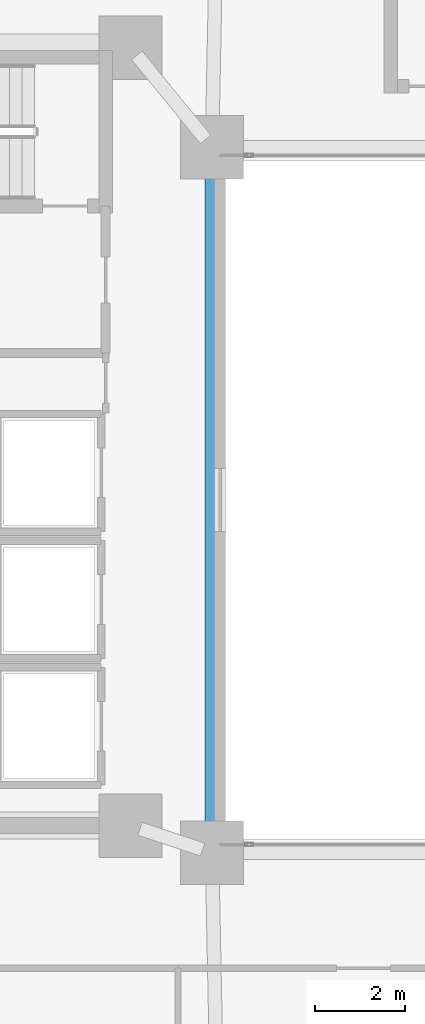
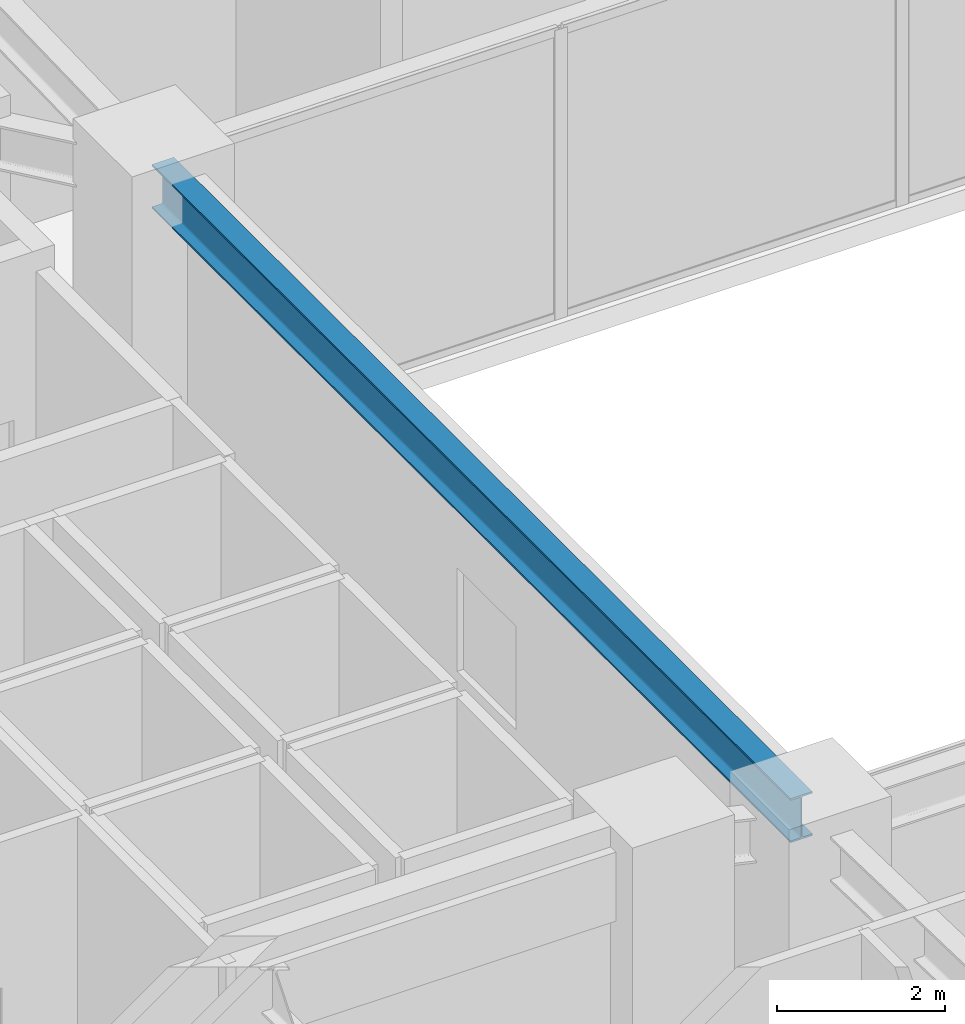
# One storey, part 10 of 39: 1 beam.
"""IFC4 building model written with IfcOpenShell, lengths in metres."""

from ifc_helpers import new_model, si_unit, direction, frame, origin, origin_2d, place, context, subcontext, project, spatial, i_section, extrude, material, material_profile, profile_set, type_object, element, save


model = new_model("IFC4")

# Units and contexts
model_context = context("Model", 3, precision=1e-05, world=origin(), true_north=direction((0.0, 1.0)))
body_context = subcontext(model_context, "Body", "Model", "MODEL_VIEW")
ifc_project = project(units=[si_unit("LENGTHUNIT", "METRE"), si_unit("AREAUNIT", "SQUARE_METRE"), si_unit("VOLUMEUNIT", "CUBIC_METRE"), si_unit("PLANEANGLEUNIT", "RADIAN"), si_unit("MASSUNIT", "GRAM", prefix="KILO")], contexts=[model_context])

# Site, building, storey
site_placement = place(None, origin())
site = spatial("IfcSite", under=ifc_project, at=site_placement, CompositionType="ELEMENT")
building_placement = place(site_placement, origin())
building = spatial("IfcBuilding", under=site, at=building_placement, Name="Tarnavaz Court Tower", CompositionType="ELEMENT")
storey_placement = place(building_placement, frame((0.0, 0.0, 68.699951171875)))
storey = spatial("IfcBuildingStorey", under=building, at=storey_placement, Name="L18", CompositionType="ELEMENT", Elevation=68.699951171875)

# Beam
ifc_material = material(Name="Steel S355", Category="steel")
ifc_material_profile = material_profile(ifc_material, i_section(OverallWidth=0.300048828125, OverallDepth=0.639892578125, WebThickness=0.013427734375, FlangeThickness=0.02587890625, FilletRadius=0.027099609375, at=origin_2d()), Name="HEA 650")
ifc_profile_set = profile_set([ifc_material_profile], Name="Steel S355")
beam_type = type_object("IfcBeamType", Name="BM-SP-HEA650", PredefinedType="SPANDREL", material=ifc_profile_set)
beam_placement = place(storey_placement, frame((-7.800048828125, -7.580078125, 3.880126953125), z_axis=(0.0, 1.0, 0.0), x_axis=(-1.0, 0.0, 0.0)))
element("IfcBeam", 1, at=beam_placement, inside=storey, type_object=beam_type, Name="L18 Beam IN-IW-SW-IW-NW", PredefinedType="SPANDREL", context=body_context, shape_type="SweptSolid", body=[
    extrude(i_section(OverallWidth=0.300048828125, OverallDepth=0.639892578125, WebThickness=0.013427734375, FlangeThickness=0.02587890625, FilletRadius=0.027099609375, at=origin_2d()), origin(), (0.0, 0.0, 1.0), 15.16015625),
])

save(model, "model.ifc")
